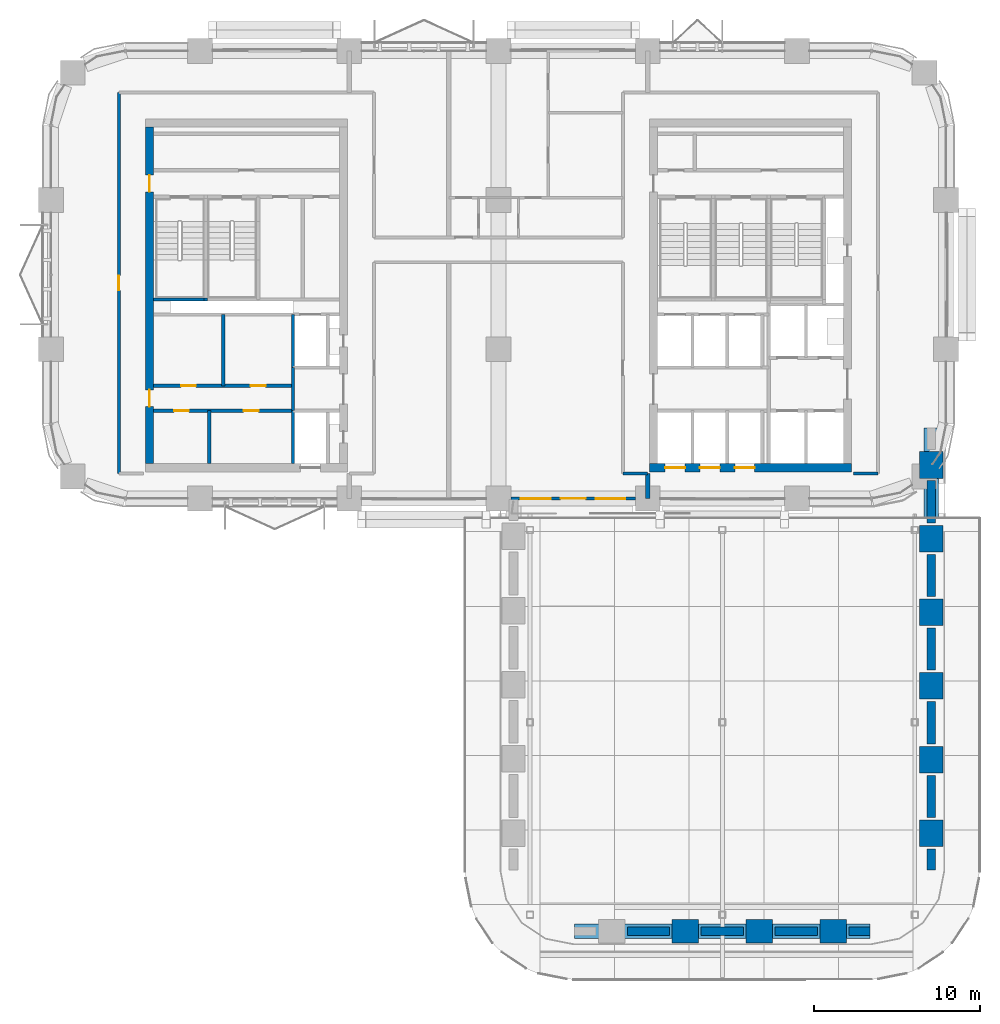
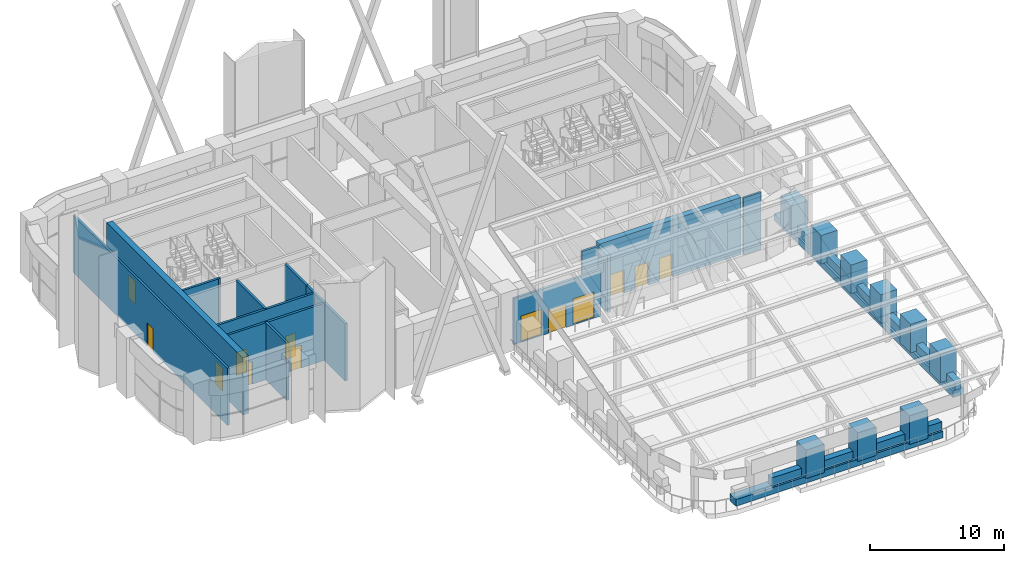
# One storey, part 13 of 22: 37 walls, 11 doors, 2 windows, 13 openings.
"""IFC4 building model written with IfcOpenShell, lengths in metres."""

from ifc_helpers import new_model, si_unit, direction, frame, frame_2d, origin, place, context, subcontext, project, spatial, rectangle, extrude, material, layer, layer_set, type_object, element, fill, save


model = new_model("IFC4")

# Units and contexts
model_context = context("Model", 3, precision=1e-05, world=origin(), true_north=direction((0.0, 1.0)))
body_context = subcontext(model_context, "Body", "Model", "MODEL_VIEW")
ifc_project = project(units=[si_unit("LENGTHUNIT", "METRE"), si_unit("AREAUNIT", "SQUARE_METRE"), si_unit("VOLUMEUNIT", "CUBIC_METRE"), si_unit("PLANEANGLEUNIT", "RADIAN"), si_unit("MASSUNIT", "GRAM", prefix="KILO")], contexts=[model_context])

# Site, building, storey
site_placement = place(None, origin())
site = spatial("IfcSite", under=ifc_project, at=site_placement, CompositionType="ELEMENT")
building_placement = place(site_placement, origin())
building = spatial("IfcBuilding", under=site, at=building_placement, Name="Tessera Arch", CompositionType="ELEMENT")
storey_placement = place(building_placement, frame((0.0, 0.0, 129.39990234375)))
storey = spatial("IfcBuildingStorey", under=building, at=storey_placement, Name="L30", CompositionType="ELEMENT", Elevation=129.39990234375)

# Walls
ifc_material_1 = material(Name="Gypsum board on steel stud", Category="steel")
ifc_layer_1 = layer(ifc_material_1, 0.125)
ifc_layer_set_1 = layer_set([ifc_layer_1], Name="Core partition 125 EI 60")
wall_type_1 = type_object("IfcWallType", Name="Core partition 125 EI 60", PredefinedType="PARTITIONING", material=ifc_layer_set_1)
wall_1_placement = place(storey_placement, frame((9.56005859375, 29.10009765625, 0.0), z_axis=(0.0, 0.0, 1.0), x_axis=(0.0, 1.0, 0.0)))
element("IfcWall", 1, at=wall_1_placement, inside=storey, type_object=wall_type_1, Name="L30 C2 partition wall 4", PredefinedType="PARTITIONING", context=body_context, shape_type="SweptSolid", body=[
    extrude(rectangle(XDim=3.199951171875, YDim=0.199951171875, at=frame_2d((1.60009765625, 0.0))), origin(), (0.0, 0.0, 1.0), 5.2001953125),
])
wall_2_placement = place(storey_placement, frame((10.39990234375, 33.800048828125, 0.0), z_axis=(0.0, 0.0, 1.0), x_axis=(0.0, 1.0, 0.0)))
element("IfcWall", 2, at=wall_2_placement, inside=storey, type_object=wall_type_1, Name="L30 C2 partition wall 5", PredefinedType="PARTITIONING", context=body_context, shape_type="SweptSolid", body=[
    extrude(rectangle(XDim=4.300048828125, YDim=0.199951171875, at=frame_2d((2.14990234375, 0.0))), origin(), (0.0, 0.0, 1.0), 5.2001953125),
])
wall_3_placement = place(storey_placement, frame((14.60009765625, 32.300048828125, 0.0), z_axis=(0.0, 0.0, 1.0), x_axis=(0.0, 1.0, 0.0)))
element("IfcWall", 3, at=wall_3_placement, inside=storey, type_object=wall_type_1, Name="L30 C2 partition wall 9", PredefinedType="PARTITIONING", context=body_context, shape_type="SweptSolid", body=[
    extrude(rectangle(XDim=2.599853515625, YDim=0.199951171875, at=frame_2d((1.2998046875, 0.0))), origin(), (0.0, 0.0, 1.0), 5.2001953125),
])

# Wall, openings, doors
wall_4_placement = place(storey_placement, frame((6.199951171875, 32.300048828125, 0.0), z_axis=(0.0, 0.0, 1.0), x_axis=(1.0, 0.0, 0.0)))
wall_4 = element("IfcWall", 4, at=wall_4_placement, inside=storey, type_object=wall_type_1, Name="L30 C2 partition wall 15", PredefinedType="PARTITIONING", context=body_context, shape_type="SweptSolid", body=[
    extrude(rectangle(XDim=8.400146484375, YDim=0.199951171875, at=frame_2d((4.2001953125, 0.0))), origin(), (0.0, 0.0, 1.0), 5.2001953125),
])
opening_1_placement = place(wall_4_placement, frame((1.22998046875, 0.0, 0.0)))
opening_1 = element("IfcOpeningElement", 5, at=opening_1_placement, cuts=wall_4, Name="Opening L30-C32", PredefinedType="OPENING", context=body_context, shape_type="SweptSolid", body=[
    extrude(rectangle(XDim=0.89990234375, YDim=2.10009765625, at=frame_2d((0.449951171875, 1.050048828125))), frame((0.0, 0.10986328125, 0.0), z_axis=(0.0, -1.0, 0.0), x_axis=(1.0, 0.0, 0.0)), (0.0, 0.0, 1.0), 0.219970703125),
])
opening_2_placement = place(wall_4_placement, frame((5.429931640625, 0.0, 0.0)))
opening_2 = element("IfcOpeningElement", 6, at=opening_2_placement, cuts=wall_4, Name="Opening L30-C33", PredefinedType="OPENING", context=body_context, shape_type="SweptSolid", body=[
    extrude(rectangle(XDim=0.89990234375, YDim=2.10009765625, at=frame_2d((0.449951171875, 1.050048828125))), frame((0.0, 0.10986328125, 0.0), z_axis=(0.0, -1.0, 0.0), x_axis=(1.0, 0.0, 0.0)), (0.0, 0.0, 1.0), 0.219970703125),
])
ifc_material_2 = material(Name="Steel door leaf", Category="steel")
door_type_1 = type_object("IfcDoorType", Name="Store door FD30S 900 x 2100", OperationType="SINGLE_SWING_LEFT", PredefinedType="DOOR", material=ifc_material_2)
door_1_placement = place(opening_1_placement, origin())
door_1 = element("IfcDoor", 7, at=door_1_placement, inside=storey, type_object=door_type_1, Name="L30 C2 door 13 C32 type D09", OperationType="SINGLE_SWING_LEFT", OverallHeight=2.10009765625, OverallWidth=0.89990234375, PredefinedType="DOOR", context=body_context, shape_type="SweptSolid", body=[
    extrude(rectangle(XDim=0.89990234375, YDim=2.10009765625, at=frame_2d((0.449951171875, 1.050048828125))), frame((0.0, 0.02490234375, 0.0), z_axis=(0.0, -1.0, 0.0), x_axis=(1.0, 0.0, 0.0)), (0.0, 0.0, 1.0), 0.050048828125),
])
fill(opening_1, door_1)
door_2_placement = place(opening_2_placement, origin())
door_2 = element("IfcDoor", 8, at=door_2_placement, inside=storey, type_object=door_type_1, Name="L30 C2 door 14 C33 type D09", OperationType="SINGLE_SWING_RIGHT", OverallHeight=2.10009765625, OverallWidth=0.89990234375, PredefinedType="DOOR", context=body_context, shape_type="SweptSolid", body=[
    extrude(rectangle(XDim=0.89990234375, YDim=2.10009765625, at=frame_2d((0.449951171875, 1.050048828125))), frame((0.0, 0.02490234375, 0.0), z_axis=(0.0, -1.0, 0.0), x_axis=(1.0, 0.0, 0.0)), (0.0, 0.0, 1.0), 0.050048828125),
])
fill(opening_2, door_2)

wall_5_placement = place(storey_placement, frame((6.199951171875, 33.800048828125, 0.0), z_axis=(0.0, 0.0, 1.0), x_axis=(1.0, 0.0, 0.0)))
wall_5 = element("IfcWall", 9, at=wall_5_placement, inside=storey, type_object=wall_type_1, Name="L30 C2 partition wall 17", PredefinedType="PARTITIONING", context=body_context, shape_type="SweptSolid", body=[
    extrude(rectangle(XDim=8.400146484375, YDim=0.199951171875, at=frame_2d((4.2001953125, 0.0))), origin(), (0.0, 0.0, 1.0), 5.2001953125),
])
opening_3_placement = place(wall_5_placement, frame((1.64990234375, 0.0, 0.0)))
opening_3 = element("IfcOpeningElement", 10, at=opening_3_placement, cuts=wall_5, Name="Opening L30-C34", PredefinedType="OPENING", context=body_context, shape_type="SweptSolid", body=[
    extrude(rectangle(XDim=0.89990234375, YDim=2.10009765625, at=frame_2d((0.449951171875, 1.050048828125))), frame((0.0, 0.10986328125, 0.0), z_axis=(0.0, -1.0, 0.0), x_axis=(1.0, 0.0, 0.0)), (0.0, 0.0, 1.0), 0.219970703125),
])
opening_4_placement = place(wall_5_placement, frame((5.85009765625, 0.0, 0.0)))
opening_4 = element("IfcOpeningElement", 11, at=opening_4_placement, cuts=wall_5, Name="Opening L30-C35", PredefinedType="OPENING", context=body_context, shape_type="SweptSolid", body=[
    extrude(rectangle(XDim=0.89990234375, YDim=2.10009765625, at=frame_2d((0.449951171875, 1.050048828125))), frame((0.0, 0.10986328125, 0.0), z_axis=(0.0, -1.0, 0.0), x_axis=(1.0, 0.0, 0.0)), (0.0, 0.0, 1.0), 0.219970703125),
])
door_3_placement = place(opening_3_placement, origin())
door_3 = element("IfcDoor", 12, at=door_3_placement, inside=storey, type_object=door_type_1, Name="L30 C2 door 15 C34 type D09", OperationType="SINGLE_SWING_LEFT", OverallHeight=2.10009765625, OverallWidth=0.89990234375, PredefinedType="DOOR", context=body_context, shape_type="SweptSolid", body=[
    extrude(rectangle(XDim=0.89990234375, YDim=2.10009765625, at=frame_2d((0.449951171875, 1.050048828125))), frame((0.0, 0.02490234375, 0.0), z_axis=(0.0, -1.0, 0.0), x_axis=(1.0, 0.0, 0.0)), (0.0, 0.0, 1.0), 0.050048828125),
])
fill(opening_3, door_3)
door_4_placement = place(opening_4_placement, origin())
door_4 = element("IfcDoor", 13, at=door_4_placement, inside=storey, type_object=door_type_1, Name="L30 C2 door 16 C35 type D09", OperationType="SINGLE_SWING_RIGHT", OverallHeight=2.10009765625, OverallWidth=0.89990234375, PredefinedType="DOOR", context=body_context, shape_type="SweptSolid", body=[
    extrude(rectangle(XDim=0.89990234375, YDim=2.10009765625, at=frame_2d((0.449951171875, 1.050048828125))), frame((0.0, 0.02490234375, 0.0), z_axis=(0.0, -1.0, 0.0), x_axis=(1.0, 0.0, 0.0)), (0.0, 0.0, 1.0), 0.050048828125),
])
fill(opening_4, door_4)

ifc_material_3 = material(Name="Concrete C60/75", Category="concrete")
ifc_layer_2 = layer(ifc_material_3, 0.5)
ifc_layer_set_2 = layer_set([ifc_layer_2], Name="Core shell wall 500 C60-75")
wall_type_2 = type_object("IfcWallType", Name="Core shell wall 500 C60-75", PredefinedType="SHEAR", material=ifc_layer_set_2)
wall_6_placement = place(storey_placement, frame((36.10009765625, 28.85009765625, 0.0), z_axis=(0.0, 0.0, 1.0), x_axis=(1.0, 0.0, 0.0)))
wall_6 = element("IfcWall", 14, at=wall_6_placement, inside=storey, type_object=wall_type_2, Name="L30 C1 core wall S", PredefinedType="SHEAR", context=body_context, shape_type="SweptSolid", body=[
    extrude(rectangle(XDim=12.199951171875, YDim=0.5, at=frame_2d((6.10009765625, 0.0))), origin(), (0.0, 0.0, 1.0), 5.2001953125),
])
opening_5_placement = place(wall_6_placement, frame((0.949951171875, 0.0, 0.0)))
opening_5 = element("IfcOpeningElement", 15, at=opening_5_placement, cuts=wall_6, Name="Opening L30-C01", PredefinedType="OPENING", context=body_context, shape_type="SweptSolid", body=[
    extrude(rectangle(XDim=1.199951171875, YDim=2.10009765625, at=frame_2d((0.60009765625, 1.050048828125))), frame((0.0, 0.260009765625, 0.0), z_axis=(0.0, -1.0, 0.0), x_axis=(1.0, 0.0, 0.0)), (0.0, 0.0, 1.0), 0.52001953125),
])
opening_6_placement = place(wall_6_placement, frame((3.050048828125, 0.0, 0.0)))
opening_6 = element("IfcOpeningElement", 16, at=opening_6_placement, cuts=wall_6, Name="Opening L30-C03", PredefinedType="OPENING", context=body_context, shape_type="SweptSolid", body=[
    extrude(rectangle(XDim=1.199951171875, YDim=2.10009765625, at=frame_2d((0.60009765625, 1.050048828125))), frame((0.0, 0.260009765625, 0.0), z_axis=(0.0, -1.0, 0.0), x_axis=(1.0, 0.0, 0.0)), (0.0, 0.0, 1.0), 0.52001953125),
])
opening_7_placement = place(wall_6_placement, frame((5.14990234375, 0.0, 0.0)))
opening_7 = element("IfcOpeningElement", 17, at=opening_7_placement, cuts=wall_6, Name="Opening L30-C05", PredefinedType="OPENING", context=body_context, shape_type="SweptSolid", body=[
    extrude(rectangle(XDim=1.199951171875, YDim=2.10009765625, at=frame_2d((0.60009765625, 1.050048828125))), frame((0.0, 0.260009765625, 0.0), z_axis=(0.0, -1.0, 0.0), x_axis=(1.0, 0.0, 0.0)), (0.0, 0.0, 1.0), 0.52001953125),
])
ifc_material_4 = material(Name="Stainless steel AISI 304", Category="steel")
door_type_2 = type_object("IfcDoorType", Name="Sliding landing door 1200 x 2100", OperationType="SLIDING_TO_LEFT", PredefinedType="DOOR", material=ifc_material_4)
door_5_placement = place(opening_5_placement, origin())
door_5 = element("IfcDoor", 18, at=door_5_placement, inside=storey, type_object=door_type_2, Name="L30 HR1 lift landing door C01 type LD", OperationType="SLIDING_TO_LEFT", OverallHeight=2.10009765625, OverallWidth=1.199951171875, PredefinedType="DOOR", context=body_context, shape_type="SweptSolid", body=[
    extrude(rectangle(XDim=1.199951171875, YDim=2.10009765625, at=frame_2d((0.60009765625, 1.050048828125))), frame((0.0, 0.02490234375, 0.0), z_axis=(0.0, -1.0, 0.0), x_axis=(1.0, 0.0, 0.0)), (0.0, 0.0, 1.0), 0.050048828125),
])
fill(opening_5, door_5)
door_6_placement = place(opening_6_placement, origin())
door_6 = element("IfcDoor", 19, at=door_6_placement, inside=storey, type_object=door_type_2, Name="L30 HR2 lift landing door C03 type LD", OperationType="SLIDING_TO_LEFT", OverallHeight=2.10009765625, OverallWidth=1.199951171875, PredefinedType="DOOR", context=body_context, shape_type="SweptSolid", body=[
    extrude(rectangle(XDim=1.199951171875, YDim=2.10009765625, at=frame_2d((0.60009765625, 1.050048828125))), frame((0.0, 0.02490234375, 0.0), z_axis=(0.0, -1.0, 0.0), x_axis=(1.0, 0.0, 0.0)), (0.0, 0.0, 1.0), 0.050048828125),
])
fill(opening_6, door_6)
door_7_placement = place(opening_7_placement, origin())
door_7 = element("IfcDoor", 20, at=door_7_placement, inside=storey, type_object=door_type_2, Name="L30 HR3 lift landing door C05 type LD", OperationType="SLIDING_TO_LEFT", OverallHeight=2.10009765625, OverallWidth=1.199951171875, PredefinedType="DOOR", context=body_context, shape_type="SweptSolid", body=[
    extrude(rectangle(XDim=1.199951171875, YDim=2.10009765625, at=frame_2d((0.60009765625, 1.050048828125))), frame((0.0, 0.02490234375, 0.0), z_axis=(0.0, -1.0, 0.0), x_axis=(1.0, 0.0, 0.0)), (0.0, 0.0, 1.0), 0.050048828125),
])
fill(opening_7, door_7)

wall_7_placement = place(storey_placement, frame((5.949951171875, 29.10009765625, 0.0), z_axis=(0.0, 0.0, 1.0), x_axis=(0.0, 1.0, 0.0)))
wall_7 = element("IfcWall", 21, at=wall_7_placement, inside=storey, type_object=wall_type_2, Name="L30 C2 core wall W", PredefinedType="SHEAR", context=body_context, shape_type="SweptSolid", body=[
    extrude(rectangle(XDim=20.2998046875, YDim=0.5, at=frame_2d((10.14990234375, 0.0))), origin(), (0.0, 0.0, 1.0), 5.2001953125),
])
opening_8_placement = place(wall_7_placement, frame((3.449951171875, 0.0, 0.0)))
opening_8 = element("IfcOpeningElement", 22, at=opening_8_placement, cuts=wall_7, Name="Opening L30-C27", PredefinedType="OPENING", context=body_context, shape_type="SweptSolid", body=[
    extrude(rectangle(XDim=1.0, YDim=2.10009765625, at=frame_2d((0.5, 1.050048828125))), frame((0.0, 0.260009765625, 0.0), z_axis=(0.0, -1.0, 0.0), x_axis=(1.0, 0.0, 0.0)), (0.0, 0.0, 1.0), 0.52001953125),
])
opening_9_placement = place(wall_7_placement, frame((16.39990234375, 0.0, 0.0)))
opening_9 = element("IfcOpeningElement", 23, at=opening_9_placement, cuts=wall_7, Name="Opening L30-C28", PredefinedType="OPENING", context=body_context, shape_type="SweptSolid", body=[
    extrude(rectangle(XDim=1.0, YDim=2.10009765625, at=frame_2d((0.5, 1.050048828125))), frame((0.0, 0.260009765625, 0.0), z_axis=(0.0, -1.0, 0.0), x_axis=(1.0, 0.0, 0.0)), (0.0, 0.0, 1.0), 0.52001953125),
])
ifc_material_5 = material(Name="Steel door leaf", Category="steel")
door_type_3 = type_object("IfcDoorType", Name="Corridor door FD60 1000 x 2100", OperationType="SINGLE_SWING_LEFT", PredefinedType="DOOR", material=ifc_material_5)
door_8_placement = place(opening_8_placement, origin())
door_8 = element("IfcDoor", 24, at=door_8_placement, inside=storey, type_object=door_type_3, Name="L30 C2 door 8 C27 type D12", OperationType="SINGLE_SWING_LEFT", OverallHeight=2.10009765625, OverallWidth=1.0, PredefinedType="DOOR", context=body_context, shape_type="SweptSolid", body=[
    extrude(rectangle(XDim=1.0, YDim=2.10009765625, at=frame_2d((0.5, 1.050048828125))), frame((0.0, 0.02490234375, 0.0), z_axis=(0.0, -1.0, 0.0), x_axis=(1.0, 0.0, 0.0)), (0.0, 0.0, 1.0), 0.050048828125),
])
fill(opening_8, door_8)
door_9_placement = place(opening_9_placement, origin())
door_9 = element("IfcDoor", 25, at=door_9_placement, inside=storey, type_object=door_type_3, Name="L30 C2 door 9 C28 type D12", OperationType="SINGLE_SWING_RIGHT", OverallHeight=2.10009765625, OverallWidth=1.0, PredefinedType="DOOR", context=body_context, shape_type="SweptSolid", body=[
    extrude(rectangle(XDim=1.0, YDim=2.10009765625, at=frame_2d((0.5, 1.050048828125))), frame((0.0, 0.02490234375, 0.0), z_axis=(0.0, -1.0, 0.0), x_axis=(1.0, 0.0, 0.0)), (0.0, 0.0, 1.0), 0.050048828125),
])
fill(opening_9, door_9)

# Walls
ifc_material_6 = material(Name="Gypsum board on deep steel stud with mineral wool", Category="steel")
ifc_layer_3 = layer(ifc_material_6, 0.175048828125)
ifc_layer_set_3 = layer_set([ifc_layer_3], Name="Corridor wall 175 EI 60")
wall_type_3 = type_object("IfcWallType", Name="Corridor wall 175 EI 60", PredefinedType="PARTITIONING", material=ifc_layer_set_3)
for number, where, z_axis, x_axis, name in (
    (26, (34.5, 28.5, 0.0), (0.0, 0.0, 1.0), (1.0, 0.0, 0.0), "L30 partition 3"),
    (27, (48.39990234375, 28.5, 0.0), (0.0, 0.0, 1.0), (1.0, 0.0, 0.0), "L30 partition 4"),
):
    element("IfcWall", number, at=place(storey_placement, frame(where, z_axis=z_axis, x_axis=x_axis)), inside=storey, type_object=wall_type_3, Name=name, PredefinedType="PARTITIONING", context=body_context, shape_type="SweptSolid", body=[
        extrude(rectangle(XDim=1.5, YDim=0.175048828125, at=frame_2d((0.75, 0.0))), origin(), (0.0, 0.0, 1.0), 5.2001953125),
    ])

# Wall, opening, door
wall_8_placement = place(storey_placement, frame((4.10009765625, 28.5, 0.0), z_axis=(0.0, 0.0, 1.0), x_axis=(0.0, 1.0, 0.0)))
wall_8 = element("IfcWall", 28, at=wall_8_placement, inside=storey, type_object=wall_type_3, Name="L30 partition 9", PredefinedType="PARTITIONING", context=body_context, shape_type="SweptSolid", body=[
    extrude(rectangle(XDim=23.0, YDim=0.175048828125, at=frame_2d((11.5, 0.0))), origin(), (0.0, 0.0, 1.0), 5.2001953125),
])
opening_10_placement = place(wall_8_placement, frame((11.050048828125, 0.0, 0.0)))
opening_10 = element("IfcOpeningElement", 29, at=opening_10_placement, cuts=wall_8, Name="Opening L30-D003", PredefinedType="OPENING", context=body_context, shape_type="SweptSolid", body=[
    extrude(rectangle(XDim=0.89990234375, YDim=2.10009765625, at=frame_2d((0.449951171875, 1.050048828125))), frame((0.0, 0.097412109375, 0.0), z_axis=(0.0, -1.0, 0.0), x_axis=(1.0, 0.0, 0.0)), (0.0, 0.0, 1.0), 0.195068359375),
])
ifc_material_7 = material(Name="Timber door leaf", Category="wood")
door_type_4 = type_object("IfcDoorType", Name="Room door 900 x 2100", OperationType="SINGLE_SWING_LEFT", PredefinedType="DOOR", material=ifc_material_7)
door_10_placement = place(opening_10_placement, origin())
door_10 = element("IfcDoor", 30, at=door_10_placement, inside=storey, type_object=door_type_4, Name="L30 door D003 type D01", OperationType="SINGLE_SWING_LEFT", OverallHeight=2.10009765625, OverallWidth=0.89990234375, PredefinedType="DOOR", context=body_context, shape_type="SweptSolid", body=[
    extrude(rectangle(XDim=0.89990234375, YDim=2.10009765625, at=frame_2d((0.449951171875, 1.050048828125))), frame((0.0, 0.02490234375, 0.0), z_axis=(0.0, -1.0, 0.0), x_axis=(1.0, 0.0, 0.0)), (0.0, 0.0, 1.0), 0.050048828125),
])
fill(opening_10, door_10)

# Wall, openings, windows, door
ifc_material_8 = material(Name="Aluminium cladding pale metal anodised", Category="aluminium")
ifc_layer_4 = layer(ifc_material_8, 0.199951171875)
ifc_layer_set_4 = layer_set([ifc_layer_4], Name="Envelope wall pale metal")
wall_type_4 = type_object("IfcWallType", Name="Envelope wall pale metal", PredefinedType="SOLIDWALL", material=ifc_layer_set_4)
wall_9_placement = place(storey_placement, frame((27.75, 27.0, 0.0), z_axis=(0.0, 0.0, 1.0), x_axis=(1.0, 0.0, 0.0)))
wall_9 = element("IfcWall", 31, at=wall_9_placement, inside=storey, type_object=wall_type_4, Name="Door bay wall S27.0/3 L30", PredefinedType="SOLIDWALL", context=body_context, shape_type="SweptSolid", body=[
    extrude(rectangle(XDim=7.5, YDim=0.199951171875, at=frame_2d((3.75, 0.0))), origin(), (0.0, 0.0, 1.0), 4.2001953125),
])
opening_11_placement = place(wall_9_placement, frame((3.0, 0.0, 0.0)))
opening_11 = element("IfcOpeningElement", 32, at=opening_11_placement, cuts=wall_9, Name="Opening L30-X01", PredefinedType="OPENING", context=body_context, shape_type="SweptSolid", body=[
    extrude(rectangle(XDim=1.5, YDim=2.10009765625, at=frame_2d((0.75, 1.050048828125))), frame((0.0, 0.10986328125, 0.0), z_axis=(0.0, -1.0, 0.0), x_axis=(1.0, 0.0, 0.0)), (0.0, 0.0, 1.0), 0.219970703125),
])
opening_12_placement = place(wall_9_placement, frame((0.60009765625, 0.0, 0.10009765625)))
opening_12 = element("IfcOpeningElement", 33, at=opening_12_placement, cuts=wall_9, Name="Opening L30-SL13", PredefinedType="OPENING", context=body_context, shape_type="SweptSolid", body=[
    extrude(rectangle(XDim=1.800048828125, YDim=2.300048828125, at=frame_2d((0.89990234375, 1.14990234375))), frame((0.0, 0.10986328125, 0.0), z_axis=(0.0, -1.0, 0.0), x_axis=(1.0, 0.0, 0.0)), (0.0, 0.0, 1.0), 0.219970703125),
])
opening_13_placement = place(wall_9_placement, frame((5.10009765625, 0.0, 0.10009765625)))
opening_13 = element("IfcOpeningElement", 34, at=opening_13_placement, cuts=wall_9, Name="Opening L30-SL14", PredefinedType="OPENING", context=body_context, shape_type="SweptSolid", body=[
    extrude(rectangle(XDim=1.800048828125, YDim=2.300048828125, at=frame_2d((0.89990234375, 1.14990234375))), frame((0.0, 0.10986328125, 0.0), z_axis=(0.0, -1.0, 0.0), x_axis=(1.0, 0.0, 0.0)), (0.0, 0.0, 1.0), 0.219970703125),
])
ifc_material_9 = material(Name="Clear low-e glass in aluminium frame", Category="aluminium")
window_type = type_object("IfcWindowType", Name="Sidelight fixed clear glass", PartitioningType="SINGLE_PANEL", PredefinedType="WINDOW", material=ifc_material_9)
window_1_placement = place(opening_12_placement, origin())
window_1 = element("IfcWindow", 35, at=window_1_placement, inside=storey, type_object=window_type, Name="Sidelight L30-X-S27.0/3-1", OverallHeight=2.300048828125, OverallWidth=1.800048828125, PartitioningType="SINGLE_PANEL", PredefinedType="WINDOW", context=body_context, shape_type="SweptSolid", body=[
    extrude(rectangle(XDim=1.800048828125, YDim=2.300048828125, at=frame_2d((0.89990234375, 1.14990234375))), frame((0.0, 0.030029296875, 0.0), z_axis=(0.0, -1.0, 0.0), x_axis=(1.0, 0.0, 0.0)), (0.0, 0.0, 1.0), 0.06005859375),
])
fill(opening_12, window_1)
window_2_placement = place(opening_13_placement, origin())
window_2 = element("IfcWindow", 36, at=window_2_placement, inside=storey, type_object=window_type, Name="Sidelight L30-X-S27.0/3-1", OverallHeight=2.300048828125, OverallWidth=1.800048828125, PartitioningType="SINGLE_PANEL", PredefinedType="WINDOW", context=body_context, shape_type="SweptSolid", body=[
    extrude(rectangle(XDim=1.800048828125, YDim=2.300048828125, at=frame_2d((0.89990234375, 1.14990234375))), frame((0.0, 0.030029296875, 0.0), z_axis=(0.0, -1.0, 0.0), x_axis=(1.0, 0.0, 0.0)), (0.0, 0.0, 1.0), 0.06005859375),
])
fill(opening_13, window_2)
ifc_material_10 = material(Name="Aluminium frame and clear glass", Category="aluminium")
door_type_5 = type_object("IfcDoorType", Name="Terrace door glazed double leaf", OperationType="DOUBLE_DOOR_SINGLE_SWING", PredefinedType="DOOR", material=ifc_material_10)
door_11_placement = place(opening_11_placement, origin())
door_11 = element("IfcDoor", 37, at=door_11_placement, inside=storey, type_object=door_type_5, Name="Door L30-X-S27.0/3-1 X01", OperationType="DOUBLE_DOOR_SINGLE_SWING", OverallHeight=2.10009765625, OverallWidth=1.5, PredefinedType="DOOR", context=body_context, shape_type="SweptSolid", body=[
    extrude(rectangle(XDim=1.5, YDim=2.10009765625, at=frame_2d((0.75, 1.050048828125))), frame((0.0, 0.02490234375, 0.0), z_axis=(0.0, -1.0, 0.0), x_axis=(1.0, 0.0, 0.0)), (0.0, 0.0, 1.0), 0.050048828125),
])
fill(opening_11, door_11)

# Walls
ifc_material_11 = material(Name="Double gypsum board on twin steel stud with acoustic mineral wool", Category="steel")
ifc_layer_5 = layer(ifc_material_11, 0.25)
ifc_layer_set_5 = layer_set([ifc_layer_5], Name="Party wall 250 EI 60")
wall_type_5 = type_object("IfcWallType", Name="Party wall 250 EI 60", PredefinedType="PARTITIONING", material=ifc_layer_set_5)
wall_10_placement = place(storey_placement, frame((36.0, 27.0, 0.0), z_axis=(0.0, 0.0, 1.0), x_axis=(0.0, 1.0, 0.0)))
element("IfcWall", 38, at=wall_10_placement, inside=storey, type_object=wall_type_5, Name="L30 partition 23", PredefinedType="PARTITIONING", context=body_context, shape_type="SweptSolid", body=[
    extrude(rectangle(XDim=1.5, YDim=0.25, at=frame_2d((0.75, 0.0))), origin(), (0.0, 0.0, 1.0), 5.2001953125),
])
ifc_material_12 = material(Name="Precast concrete C40/50", Category="concrete")
ifc_layer_6 = layer(ifc_material_12, 1.39990234375)
ifc_layer_set_6 = layer_set([ifc_layer_6], Name="Planter bed 1400 wide")
wall_type_6 = type_object("IfcWallType", Name="Planter bed 1400 wide", PredefinedType="SOLIDWALL", material=ifc_layer_set_6)
wall_11_placement = place(storey_placement, frame((53.10009765625, 29.822509765625, 0.60009765625), z_axis=(0.0, 0.0, 1.0), x_axis=(0.0, -1.0, 0.0)))
element("IfcWall", 39, at=wall_11_placement, inside=storey, type_object=wall_type_6, Name="Tree planting on bed terrace bed 1-1 1", PredefinedType="SOLIDWALL", context=body_context, shape_type="SweptSolid", body=[
    extrude(rectangle(XDim=1.60009765625, YDim=1.39990234375, at=frame_2d((0.800048828125, 0.0))), origin(), (0.0, 0.0, 1.0), 2.60009765625),
])
for number, where, z_axis, x_axis, name in (
    (40, (53.10009765625, 25.380126953125, 0.60009765625), (0.0, 0.0, 1.0), (0.0, -1.0, 0.0), "Tree planting on bed terrace bed 1-1 2"),
    (41, (53.10009765625, 20.937744140625, 0.60009765625), (0.0, 0.0, 1.0), (0.0, -1.0, 0.0), "Tree planting on bed terrace bed 1-1 3"),
):
    element("IfcWall", number, at=place(storey_placement, frame(where, z_axis=z_axis, x_axis=x_axis)), inside=storey, type_object=wall_type_6, Name=name, PredefinedType="SOLIDWALL", context=body_context, shape_type="SweptSolid", body=[
        extrude(rectangle(XDim=1.599853515625, YDim=1.39990234375, at=frame_2d((0.7998046875, 0.0))), origin(), (0.0, 0.0, 1.0), 2.60009765625),
    ])
wall_12_placement = place(storey_placement, frame((53.10009765625, 16.49560546875, 0.60009765625), z_axis=(0.0, 0.0, 1.0), x_axis=(0.0, -1.0, 0.0)))
element("IfcWall", 42, at=wall_12_placement, inside=storey, type_object=wall_type_6, Name="Tree planting on bed terrace bed 1-1 4", PredefinedType="SOLIDWALL", context=body_context, shape_type="SweptSolid", body=[
    extrude(rectangle(XDim=1.60009765625, YDim=1.39990234375, at=frame_2d((0.800048828125, 0.0))), origin(), (0.0, 0.0, 1.0), 2.60009765625),
])
wall_13_placement = place(storey_placement, frame((53.10009765625, 12.052978515625, 0.60009765625), z_axis=(0.0, 0.0, 1.0), x_axis=(0.0, -1.0, 0.0)))
element("IfcWall", 43, at=wall_13_placement, inside=storey, type_object=wall_type_6, Name="Tree planting on bed terrace bed 1-1 5", PredefinedType="SOLIDWALL", context=body_context, shape_type="SweptSolid", body=[
    extrude(rectangle(XDim=1.599853515625, YDim=1.39990234375, at=frame_2d((0.7998046875, 0.0))), origin(), (0.0, 0.0, 1.0), 2.60009765625),
])
for number, where, z_axis, x_axis, name in (
    (44, (53.10009765625, 7.61083984375, 0.60009765625), (0.0, 0.0, 1.0), (0.0, -1.0, 0.0), "Tree planting on bed terrace bed 1-1 6"),
    (45, (47.984375, 0.900146484375, 0.60009765625), (0.0, 0.0, 1.0), (-1.0, 0.0, 0.0), "Tree planting on bed terrace bed 1-2 1"),
    (46, (43.52880859375, 0.900146484375, 0.60009765625), (0.0, 0.0, 1.0), (-1.0, 0.0, 0.0), "Tree planting on bed terrace bed 1-2 2"),
    (47, (39.072998046875, 0.900146484375, 0.60009765625), (0.0, 0.0, 1.0), (-1.0, 0.0, 0.0), "Tree planting on bed terrace bed 1-2 3"),
):
    element("IfcWall", number, at=place(storey_placement, frame(where, z_axis=z_axis, x_axis=x_axis)), inside=storey, type_object=wall_type_6, Name=name, PredefinedType="SOLIDWALL", context=body_context, shape_type="SweptSolid", body=[
        extrude(rectangle(XDim=1.60009765625, YDim=1.39990234375, at=frame_2d((0.800048828125, 0.0))), origin(), (0.0, 0.0, 1.0), 2.60009765625),
    ])
ifc_material_13 = material(Name="Precast concrete C40/50", Category="concrete")
ifc_layer_7 = layer(ifc_material_13, 0.5400390625)
ifc_layer_set_7 = layer_set([ifc_layer_7], Name="Planter bed 540 wide")
wall_type_7 = type_object("IfcWallType", Name="Planter bed 540 wide", PredefinedType="SOLIDWALL", material=ifc_layer_set_7)
for number, where, z_axis, x_axis, name in (
    (48, (53.10009765625, 28.072509765625, 0.60009765625), (0.0, 0.0, 1.0), (0.0, -1.0, 0.0), "PLANTER shrub mass on terrace bed 1-1 2"),
    (49, (53.10009765625, 23.630126953125, 0.60009765625), (0.0, 0.0, 1.0), (0.0, -1.0, 0.0), "PLANTER shrub mass on terrace bed 1-1 3"),
    (50, (53.10009765625, 19.187744140625, 0.60009765625), (0.0, 0.0, 1.0), (0.0, -1.0, 0.0), "PLANTER shrub mass on terrace bed 1-1 4"),
):
    element("IfcWall", number, at=place(storey_placement, frame(where, z_axis=z_axis, x_axis=x_axis)), inside=storey, type_object=wall_type_7, Name=name, PredefinedType="SOLIDWALL", context=body_context, shape_type="SweptSolid", body=[
        extrude(rectangle(XDim=2.542236328125, YDim=0.5400390625, at=frame_2d((1.27099609375, 0.0))), origin(), (0.0, 0.0, 1.0), 0.75),
    ])
wall_14_placement = place(storey_placement, frame((53.10009765625, 14.74560546875, 0.60009765625), z_axis=(0.0, 0.0, 1.0), x_axis=(0.0, -1.0, 0.0)))
element("IfcWall", 51, at=wall_14_placement, inside=storey, type_object=wall_type_7, Name="PLANTER shrub mass on terrace bed 1-1 5", PredefinedType="SOLIDWALL", context=body_context, shape_type="SweptSolid", body=[
    extrude(rectangle(XDim=2.54248046875, YDim=0.5400390625, at=frame_2d((1.271240234375, 0.0))), origin(), (0.0, 0.0, 1.0), 0.75),
])
wall_15_placement = place(storey_placement, frame((53.10009765625, 10.302978515625, 0.60009765625), z_axis=(0.0, 0.0, 1.0), x_axis=(0.0, -1.0, 0.0)))
element("IfcWall", 52, at=wall_15_placement, inside=storey, type_object=wall_type_7, Name="PLANTER shrub mass on terrace bed 1-1 6", PredefinedType="SOLIDWALL", context=body_context, shape_type="SweptSolid", body=[
    extrude(rectangle(XDim=2.542236328125, YDim=0.5400390625, at=frame_2d((1.27099609375, 0.0))), origin(), (0.0, 0.0, 1.0), 0.75),
])
wall_16_placement = place(storey_placement, frame((53.10009765625, 5.86083984375, 0.60009765625), z_axis=(0.0, 0.0, 1.0), x_axis=(0.0, -1.0, 0.0)))
element("IfcWall", 53, at=wall_16_placement, inside=storey, type_object=wall_type_7, Name="PLANTER shrub mass on terrace bed 1-1 7", PredefinedType="SOLIDWALL", context=body_context, shape_type="SweptSolid", body=[
    extrude(rectangle(XDim=1.271240234375, YDim=0.5400390625, at=frame_2d((0.6357421875, 0.0))), origin(), (0.0, 0.0, 1.0), 0.75),
])
wall_17_placement = place(storey_placement, frame((49.412109375, 0.900146484375, 0.60009765625), z_axis=(0.0, 0.0, 1.0), x_axis=(-1.0, 0.0, 0.0)))
element("IfcWall", 54, at=wall_17_placement, inside=storey, type_object=wall_type_7, Name="PLANTER shrub mass on terrace bed 1-2 1", PredefinedType="SOLIDWALL", context=body_context, shape_type="SweptSolid", body=[
    extrude(rectangle(XDim=1.27783203125, YDim=0.5400390625, at=frame_2d((0.638916015625, 0.0))), origin(), (0.0, 0.0, 1.0), 0.75),
])
wall_18_placement = place(storey_placement, frame((46.234375, 0.900146484375, 0.60009765625), z_axis=(0.0, 0.0, 1.0), x_axis=(-1.0, 0.0, 0.0)))
element("IfcWall", 55, at=wall_18_placement, inside=storey, type_object=wall_type_7, Name="PLANTER shrub mass on terrace bed 1-2 2", PredefinedType="SOLIDWALL", context=body_context, shape_type="SweptSolid", body=[
    extrude(rectangle(XDim=2.5556640625, YDim=0.5400390625, at=frame_2d((1.27783203125, 0.0))), origin(), (0.0, 0.0, 1.0), 0.75),
])
wall_19_placement = place(storey_placement, frame((41.77880859375, 0.900146484375, 0.60009765625), z_axis=(0.0, 0.0, 1.0), x_axis=(-1.0, 0.0, 0.0)))
element("IfcWall", 56, at=wall_19_placement, inside=storey, type_object=wall_type_7, Name="PLANTER shrub mass on terrace bed 1-2 3", PredefinedType="SOLIDWALL", context=body_context, shape_type="SweptSolid", body=[
    extrude(rectangle(XDim=2.555908203125, YDim=0.5400390625, at=frame_2d((1.27783203125, 0.0))), origin(), (0.0, 0.0, 1.0), 0.75),
])
wall_20_placement = place(storey_placement, frame((37.322998046875, 0.900146484375, 0.60009765625), z_axis=(0.0, 0.0, 1.0), x_axis=(-0.999999995437, -9.5529232e-05, 0.0)))
element("IfcWall", 57, at=wall_20_placement, inside=storey, type_object=wall_type_7, Name="PLANTER shrub mass on terrace bed 1-2 4", PredefinedType="SOLIDWALL", context=body_context, shape_type="SweptSolid", body=[
    extrude(rectangle(XDim=2.5556640625, YDim=0.5400390625, at=frame_2d((1.27783203125, 0.0))), origin(), (0.0, 0.0, 1.0), 0.75),
])
ifc_material_14 = material(Name="Precast concrete C40/50", Category="concrete")
ifc_layer_8 = layer(ifc_material_14, 0.89990234375)
ifc_layer_set_8 = layer_set([ifc_layer_8], Name="Planter bed 900 wide")
wall_type_8 = type_object("IfcWallType", Name="Planter bed 900 wide", PredefinedType="SOLIDWALL", material=ifc_layer_set_8)
wall_21_placement = place(storey_placement, frame((53.10009765625, 31.24365234375, 0.0), z_axis=(0.0, 0.0, 1.0), x_axis=(0.0, -1.0, 0.0)))
element("IfcWall", 58, at=wall_21_placement, inside=storey, type_object=wall_type_8, Name="PLANTER terrace bed 1-1", PredefinedType="SOLIDWALL", context=body_context, shape_type="SweptSolid", body=[
    extrude(rectangle(XDim=26.654052734375, YDim=0.89990234375, at=frame_2d((13.3271484375, 0.0))), origin(), (0.0, 0.0, 1.0), 0.60009765625),
])
wall_22_placement = place(storey_placement, frame((49.412109375, 0.900146484375, 0.0), z_axis=(0.0, 0.0, 1.0), x_axis=(-0.999999999906, -1.3698442e-05, 0.0)))
element("IfcWall", 59, at=wall_22_placement, inside=storey, type_object=wall_type_8, Name="PLANTER terrace bed 1-2", PredefinedType="SOLIDWALL", context=body_context, shape_type="SweptSolid", body=[
    extrude(rectangle(XDim=17.822509765625, YDim=0.89990234375, at=frame_2d((8.9111328125, 0.0))), origin(), (0.0, 0.0, 1.0), 0.60009765625),
])
ifc_material_15 = material(Name="Concrete C40/50", Category="concrete")
ifc_layer_9 = layer(ifc_material_15, 0.199951171875)
ifc_layer_set_9 = layer_set([ifc_layer_9], Name="Shaft wall 200 EI 120")
wall_type_9 = type_object("IfcWallType", Name="Shaft wall 200 EI 120", PredefinedType="SOLIDWALL", material=ifc_layer_set_9)
wall_23_placement = place(storey_placement, frame((14.60009765625, 29.10009765625, 0.0), z_axis=(0.0, 0.0, 1.0), x_axis=(0.0, 1.0, 0.0)))
element("IfcWall", 60, at=wall_23_placement, inside=storey, type_object=wall_type_9, Name="L30 C2 shaft wall 10", PredefinedType="SOLIDWALL", context=body_context, shape_type="SweptSolid", body=[
    extrude(rectangle(XDim=3.199951171875, YDim=0.199951171875, at=frame_2d((1.60009765625, 0.0))), origin(), (0.0, 0.0, 1.0), 5.2001953125),
])
wall_24_placement = place(storey_placement, frame((14.60009765625, 34.89990234375, 0.0), z_axis=(0.0, 0.0, 1.0), x_axis=(0.0, 1.0, 0.0)))
element("IfcWall", 61, at=wall_24_placement, inside=storey, type_object=wall_type_9, Name="L30 C2 shaft wall 11", PredefinedType="SOLIDWALL", context=body_context, shape_type="SweptSolid", body=[
    extrude(rectangle(XDim=3.2001953125, YDim=0.199951171875, at=frame_2d((1.60009765625, 0.0))), origin(), (0.0, 0.0, 1.0), 5.2001953125),
])
ifc_material_16 = material(Name="Concrete C40/50", Category="concrete")
ifc_layer_10 = layer(ifc_material_16, 0.199951171875)
ifc_layer_set_10 = layer_set([ifc_layer_10], Name="Stair well wall 200 REI 180")
wall_type_10 = type_object("IfcWallType", Name="Stair well wall 200 REI 180", PredefinedType="SOLIDWALL", material=ifc_layer_set_10)
wall_25_placement = place(storey_placement, frame((6.199951171875, 39.0, 0.0), z_axis=(0.0, 0.0, 1.0), x_axis=(1.0, 0.0, 0.0)))
element("IfcWall", 62, at=wall_25_placement, inside=storey, type_object=wall_type_10, Name="L30 C2 shaft wall 21", PredefinedType="SOLIDWALL", context=body_context, shape_type="SweptSolid", body=[
    extrude(rectangle(XDim=3.050048828125, YDim=0.199951171875, at=frame_2d((1.52490234375, 0.0))), origin(), (0.0, 0.0, 1.0), 5.2001953125),
])
wall_26_placement = place(storey_placement, frame((9.25, 39.0, 0.0), z_axis=(0.0, 0.0, 1.0), x_axis=(1.0, 0.0, 0.0)))
element("IfcWall", 63, at=wall_26_placement, inside=storey, type_object=wall_type_10, Name="L30 C2 shaft wall 22", PredefinedType="SOLIDWALL", context=body_context, shape_type="SweptSolid", body=[
    extrude(rectangle(XDim=0.199951171875, YDim=0.199951171875, at=frame_2d((0.10009765625, 0.0))), origin(), (0.0, 0.0, 1.0), 5.2001953125),
])

save(model, "model.ifc")
